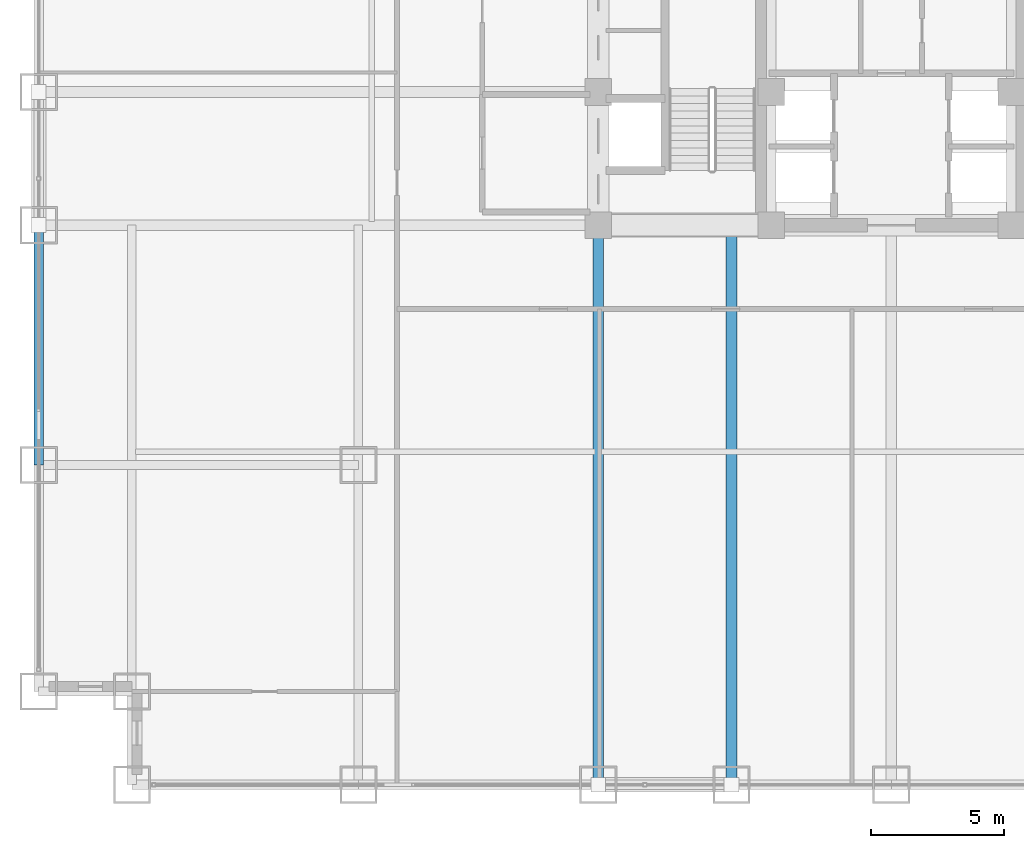
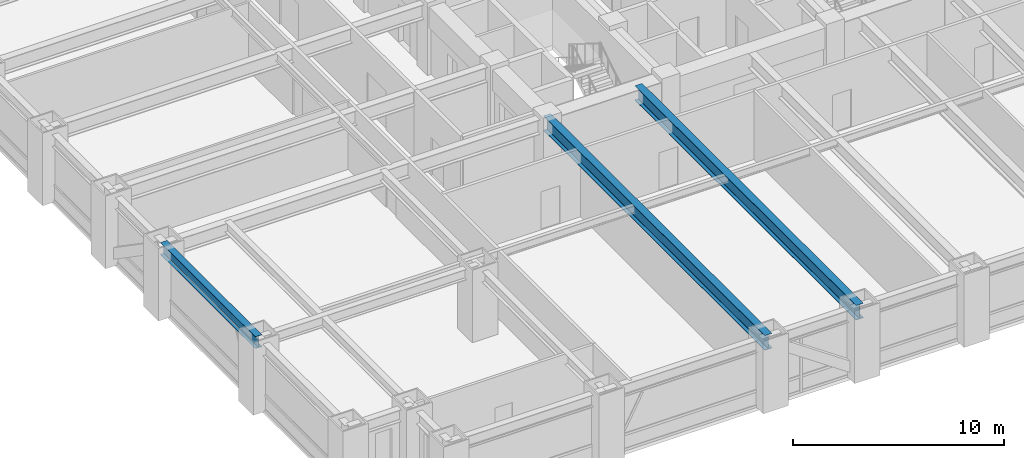
# One storey, part 5 of 27: 3 beams.
"""IFC4 building model written with IfcOpenShell, lengths in metres."""

from ifc_helpers import new_model, si_unit, direction, frame, origin, origin_2d, place, context, subcontext, project, spatial, i_section, extrude, source, transform, mapped, material, material_profile, profile_set, type_object, element, save


model = new_model("IFC4")

# Units and contexts
model_context = context("Model", 3, precision=1e-05, world=origin(), true_north=direction((0.0, 1.0)))
body_context = subcontext(model_context, "Body", "Model", "MODEL_VIEW")
ifc_project = project(units=[si_unit("LENGTHUNIT", "METRE"), si_unit("AREAUNIT", "SQUARE_METRE"), si_unit("VOLUMEUNIT", "CUBIC_METRE"), si_unit("PLANEANGLEUNIT", "RADIAN"), si_unit("MASSUNIT", "GRAM", prefix="KILO")], contexts=[model_context])

# Site, building, storey
site_placement = place(None, origin())
site = spatial("IfcSite", under=ifc_project, at=site_placement, CompositionType="ELEMENT")
building_placement = place(site_placement, origin())
building = spatial("IfcBuilding", under=site, at=building_placement, Name="Khorayat Bourse Tower", CompositionType="ELEMENT")
storey_placement = place(building_placement, frame((0.0, 0.0, 45.199951171875)))
storey = spatial("IfcBuildingStorey", under=building, at=storey_placement, Name="L09", CompositionType="ELEMENT", Elevation=45.199951171875)

# Beams
ifc_material = material(Name="Steel ASTM A992 Grade 50", Category="steel")
ifc_material_profile_1 = material_profile(ifc_material, i_section(OverallWidth=0.35498046875, OverallDepth=0.695068359375, WebThickness=0.015380859375, FlangeThickness=0.02490234375, FilletRadius=0.01806640625, at=origin_2d()), Name="W690X217")
ifc_profile_set_1 = profile_set([ifc_material_profile_1], Name="Steel ASTM A992 Grade 50")
beam_type_1 = type_object("IfcBeamType", Name="BM-SPAN-690", PredefinedType="SPANDREL", material=ifc_profile_set_1)
shared_shape_1 = source(origin(), body_context, "Body", "SweptSolid", [
    extrude(i_section(OverallWidth=0.35498046875, OverallDepth=0.695068359375, WebThickness=0.015380859375, FlangeThickness=0.02490234375, FilletRadius=0.01806640625, at=origin_2d()), origin(), (0.0, 0.0, 1.0), 9.0),
])
beam_placement = place(storey_placement, frame((-32.0, -20.0, 3.592529296875), z_axis=(0.0, 1.0, 0.0), x_axis=(-1.0, 0.0, 0.0)))
element("IfcBeam", 1, at=beam_placement, inside=storey, type_object=beam_type_1, Name="L09 BM-SPAN-690 BM-L09-SPN-060", PredefinedType="SPANDREL", context=body_context, shape_type="MappedRepresentation", body=[
    mapped(shared_shape_1, transform((0.0, 0.0, 0.0), scale=1.0)),
])
ifc_material_profile_2 = material_profile(ifc_material, i_section(OverallWidth=0.39990234375, OverallDepth=0.85498046875, WebThickness=0.018310546875, FlangeThickness=0.029296875, FilletRadius=0.02001953125, at=origin_2d()), Name="W840X299")
ifc_profile_set_2 = profile_set([ifc_material_profile_2], Name="Steel ASTM A992 Grade 50")
beam_type_2 = type_object("IfcBeamType", Name="BM-GIRD-840", PredefinedType="BEAM", material=ifc_profile_set_2)
shared_shape_2 = source(origin(), body_context, "Body", "SweptSolid", [
    extrude(i_section(OverallWidth=0.39990234375, OverallDepth=0.85498046875, WebThickness=0.018310546875, FlangeThickness=0.029296875, FilletRadius=0.02001953125, at=origin_2d()), origin(), (0.0, 0.0, 1.0), 21.0),
])
for number, where, z_axis, x_axis, name in (
    (2, (-11.0, -32.0, 3.512451171875), (0.0, 1.0, 0.0), (-1.0, 0.0, 0.0), "L09 BM-GIRD-840 BM-L09-RADY-065"),
    (3, (-6.0, -32.0, 3.512451171875), (0.0, 1.0, 0.0), (-1.0, 0.0, 0.0), "L09 BM-GIRD-840 BM-L09-RADY-067"),
):
    element("IfcBeam", number, at=place(storey_placement, frame(where, z_axis=z_axis, x_axis=x_axis)), inside=storey, type_object=beam_type_2, Name=name, PredefinedType="BEAM", context=body_context, shape_type="MappedRepresentation", body=[
        mapped(shared_shape_2, transform((0.0, 0.0, 0.0), scale=1.0)),
    ])

save(model, "model.ifc")
